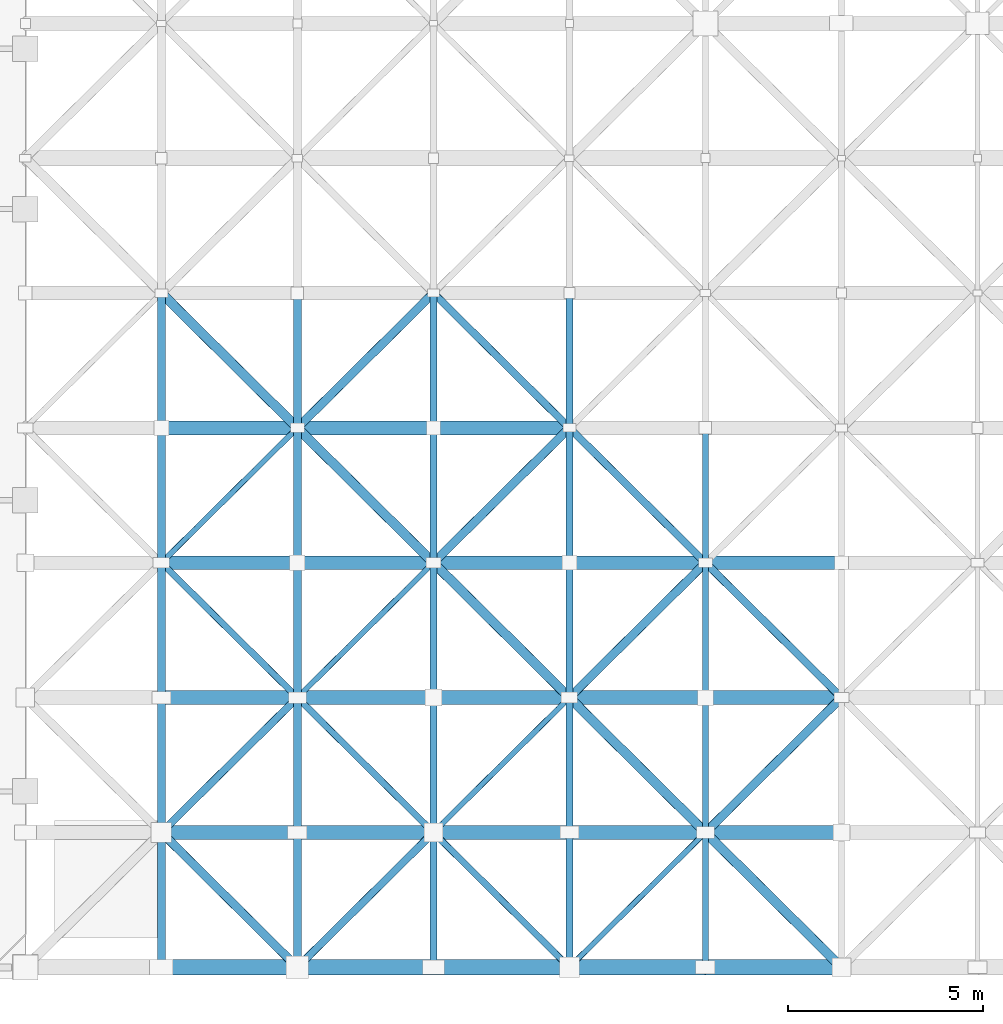
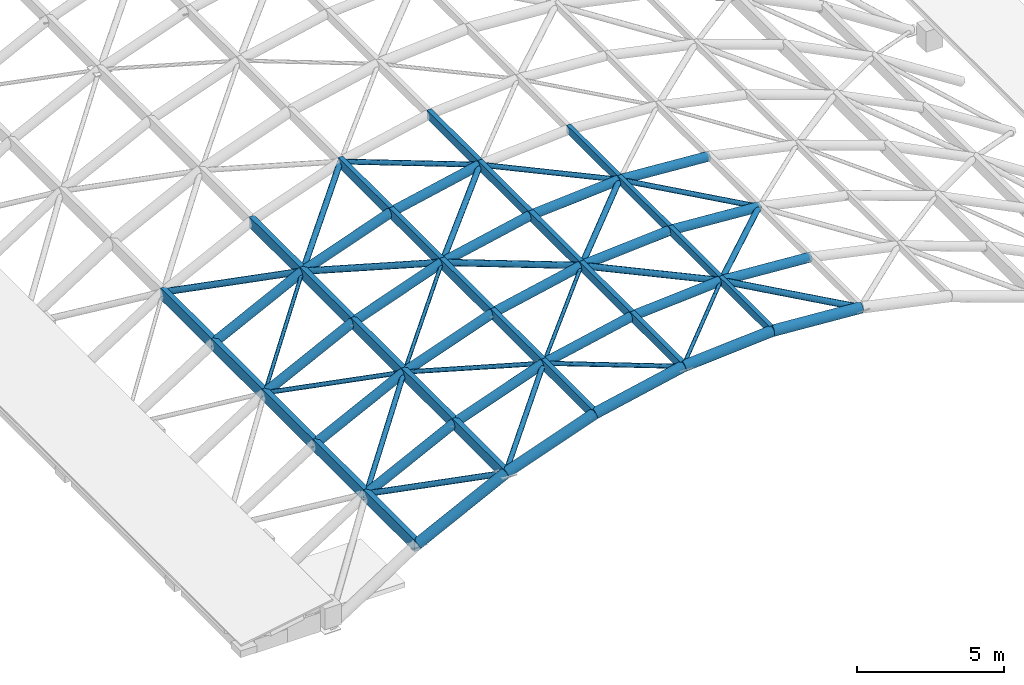
# One storey, part 20 of 52: 69 members.
"""IFC4 building model written with IfcOpenShell, lengths in metres."""

from ifc_helpers import new_model, si_unit, direction, frame, origin, origin_2d, place, context, subcontext, project, spatial, rectangle, hollow_circle, extrude, material, material_profile, profile_set, type_object, element, save


model = new_model("IFC4")

# Units and contexts
model_context = context("Model", 3, precision=1e-05, world=origin(), true_north=direction((0.0, 1.0)))
body_context = subcontext(model_context, "Body", "Model", "MODEL_VIEW")
ifc_project = project(units=[si_unit("LENGTHUNIT", "METRE"), si_unit("AREAUNIT", "SQUARE_METRE"), si_unit("VOLUMEUNIT", "CUBIC_METRE"), si_unit("PLANEANGLEUNIT", "RADIAN"), si_unit("MASSUNIT", "GRAM", prefix="KILO")], contexts=[model_context])

# Site, building, storey
site_placement = place(None, origin())
site = spatial("IfcSite", under=ifc_project, at=site_placement, CompositionType="ELEMENT")
building_placement = place(site_placement, origin())
building = spatial("IfcBuilding", under=site, at=building_placement, Name="Candilejo Ridge Gondola Terminal", CompositionType="ELEMENT")
storey_placement = place(building_placement, frame((0.0, 0.0, 18.60009765625)))
storey = spatial("IfcBuildingStorey", under=building, at=storey_placement, Name="L04", CompositionType="ELEMENT", Elevation=18.60009765625)

# Members
ifc_material_1 = material(Name="Steel ASTM A500 Grade C", Category="steel")
ifc_material_profile_1 = material_profile(ifc_material_1, hollow_circle(Radius=0.06982421875, WallThickness=0.00634765625, at=origin_2d()))
ifc_profile_set_1 = profile_set([ifc_material_profile_1], Name="Steel ASTM A500 Grade C")
member_type_1 = type_object("IfcMemberType", Name="STR-BRC-CHS140", PredefinedType="BRACE", material=ifc_profile_set_1)
member_1_placement = place(storey_placement, frame((151.1201171875, 6.300048828125, 5.751953125), z_axis=(0.709256116362, 0.703135834174, 0.050554526043), x_axis=(-0.704036083414, 0.710164201612, 0.0)))
element("IfcMember", 1, at=member_1_placement, inside=storey, type_object=member_type_1, Name="Barrel diagrid diagonal 01-05", PredefinedType="BRACE", context=body_context, shape_type="SweptSolid", body=[
    extrude(hollow_circle(Radius=0.06982421875, WallThickness=0.00634765625, at=origin_2d()), origin(), (0.0, 0.0, 1.0), 4.906494140625),
])
member_2_placement = place(storey_placement, frame((147.639892578125, 9.75, 5.0078125), z_axis=(0.702139662294, 0.696031958462, 0.150131300643), x_axis=(-0.704011173748, 0.710188895462, 0.0)))
element("IfcMember", 2, at=member_2_placement, inside=storey, type_object=member_type_1, Name="Barrel diagrid diagonal 02-04", PredefinedType="BRACE", context=body_context, shape_type="SweptSolid", body=[
    extrude(hollow_circle(Radius=0.06982421875, WallThickness=0.00634765625, at=origin_2d()), origin(), (0.0, 0.0, 1.0), 4.95654296875),
])
member_3_placement = place(storey_placement, frame((144.159912109375, 13.199951171875, 3.767822265625), z_axis=(0.688464148289, 0.682523283252, 0.24531425629), x_axis=(-0.704036083414, 0.710164201612, 0.0)))
element("IfcMember", 3, at=member_3_placement, inside=storey, type_object=member_type_1, Name="Barrel diagrid diagonal 03-03", PredefinedType="BRACE", context=body_context, shape_type="SweptSolid", body=[
    extrude(hollow_circle(Radius=0.06982421875, WallThickness=0.00634765625, at=origin_2d()), origin(), (0.0, 0.0, 1.0), 5.0546875),
])
member_4_placement = place(storey_placement, frame((140.679931640625, 16.64990234375, 2.031982421875), z_axis=(0.669384825923, 0.663655560541, 0.333894072704), x_axis=(-0.70406120903, 0.710139291927, 0.0)))
element("IfcMember", 4, at=member_4_placement, inside=storey, type_object=member_type_1, Name="Barrel diagrid diagonal 04-02", PredefinedType="BRACE", context=body_context, shape_type="SweptSolid", body=[
    extrude(hollow_circle(Radius=0.06982421875, WallThickness=0.00634765625, at=origin_2d()), origin(), (0.0, 0.0, 1.0), 5.19873046875),
])
ifc_material_2 = material(Name="Steel ASTM A500 Grade C", Category="steel")
ifc_material_profile_2 = material_profile(ifc_material_2, hollow_circle(Radius=0.084228515625, WallThickness=0.007080078125, at=origin_2d()))
ifc_profile_set_2 = profile_set([ifc_material_profile_2], Name="Steel ASTM A500 Grade C")
member_type_2 = type_object("IfcMemberType", Name="STR-BRC-CHS168", PredefinedType="BRACE", material=ifc_profile_set_2)
member_5_placement = place(storey_placement, frame((151.1201171875, 6.300048828125, 5.751953125), z_axis=(-0.702139662294, 0.696031958462, -0.150131300643), x_axis=(-0.704011173748, -0.710188895462, 0.0)))
element("IfcMember", 5, at=member_5_placement, inside=storey, type_object=member_type_2, Name="Barrel diagrid diagonal 01-04", PredefinedType="BRACE", context=body_context, shape_type="SweptSolid", body=[
    extrude(hollow_circle(Radius=0.084228515625, WallThickness=0.007080078125, at=origin_2d()), origin(), (0.0, 0.0, 1.0), 4.95654296875),
])
member_6_placement = place(storey_placement, frame((147.639892578125, 9.75, 5.0078125), z_axis=(-0.688464148289, 0.682523283252, -0.24531425629), x_axis=(-0.704036083414, -0.710164201612, 0.0)))
element("IfcMember", 6, at=member_6_placement, inside=storey, type_object=member_type_2, Name="Barrel diagrid diagonal 02-03", PredefinedType="BRACE", context=body_context, shape_type="SweptSolid", body=[
    extrude(hollow_circle(Radius=0.084228515625, WallThickness=0.007080078125, at=origin_2d()), origin(), (0.0, 0.0, 1.0), 5.0546875),
])
member_7_placement = place(storey_placement, frame((144.159912109375, 13.199951171875, 3.767822265625), z_axis=(-0.669405688246, 0.663629281647, -0.333904478983), x_axis=(-0.704036083414, -0.710164201612, 0.0)))
element("IfcMember", 7, at=member_7_placement, inside=storey, type_object=member_type_2, Name="Barrel diagrid diagonal 03-02", PredefinedType="BRACE", context=body_context, shape_type="SweptSolid", body=[
    extrude(hollow_circle(Radius=0.084228515625, WallThickness=0.007080078125, at=origin_2d()), origin(), (0.0, 0.0, 1.0), 5.19873046875),
])
ifc_material_3 = material(Name="Steel ASTM A500 Grade C", Category="steel")
ifc_material_profile_3 = material_profile(ifc_material_3, hollow_circle(Radius=0.096923828125, WallThickness=0.0078125, at=origin_2d()))
ifc_profile_set_3 = profile_set([ifc_material_profile_3], Name="Steel ASTM A500 Grade C")
member_type_3 = type_object("IfcMemberType", Name="STR-BRC-CHS193", PredefinedType="BRACE", material=ifc_profile_set_3)
member_8_placement = place(storey_placement, frame((144.159912109375, 6.300048828125, 3.767822265625), z_axis=(0.688464148289, 0.682523283252, 0.24531425629), x_axis=(-0.704036083414, 0.710164201612, 0.0)))
element("IfcMember", 8, at=member_8_placement, inside=storey, type_object=member_type_3, Name="Barrel diagrid diagonal 01-03", PredefinedType="BRACE", context=body_context, shape_type="SweptSolid", body=[
    extrude(hollow_circle(Radius=0.096923828125, WallThickness=0.0078125, at=origin_2d()), origin(), (0.0, 0.0, 1.0), 5.0546875),
])
member_9_placement = place(storey_placement, frame((140.679931640625, 9.75, 2.031982421875), z_axis=(0.669405688246, 0.663629281647, 0.333904478983), x_axis=(-0.704036083414, 0.710164201612, 0.0)))
element("IfcMember", 9, at=member_9_placement, inside=storey, type_object=member_type_3, Name="Barrel diagrid diagonal 02-02", PredefinedType="BRACE", context=body_context, shape_type="SweptSolid", body=[
    extrude(hollow_circle(Radius=0.096923828125, WallThickness=0.0078125, at=origin_2d()), origin(), (0.0, 0.0, 1.0), 5.19873046875),
])
member_10_placement = place(storey_placement, frame((158.080078125, 13.199951171875, 5.751953125), z_axis=(-0.709256116362, 0.703135834174, 0.050554526043), x_axis=(-0.704036083414, -0.710164201612, 0.0)))
element("IfcMember", 10, at=member_10_placement, inside=storey, type_object=member_type_3, Name="Barrel diagrid diagonal 03-06", PredefinedType="BRACE", context=body_context, shape_type="SweptSolid", body=[
    extrude(hollow_circle(Radius=0.096923828125, WallThickness=0.0078125, at=origin_2d()), origin(), (0.0, 0.0, 1.0), 4.906494140625),
])
member_11_placement = place(storey_placement, frame((154.60009765625, 16.64990234375, 6.0), z_axis=(-0.709231302108, 0.703160990696, -0.050552757327), x_axis=(-0.70406120903, -0.710139291927, 0.0)))
element("IfcMember", 11, at=member_11_placement, inside=storey, type_object=member_type_3, Name="Barrel diagrid diagonal 04-05", PredefinedType="BRACE", context=body_context, shape_type="SweptSolid", body=[
    extrude(hollow_circle(Radius=0.096923828125, WallThickness=0.0078125, at=origin_2d()), origin(), (0.0, 0.0, 1.0), 4.90673828125),
])
member_12_placement = place(storey_placement, frame((151.1201171875, 20.10009765625, 5.751953125), z_axis=(-0.702139662294, 0.696031958462, -0.150131300643), x_axis=(-0.704011173748, -0.710188895462, 0.0)))
element("IfcMember", 12, at=member_12_placement, inside=storey, type_object=member_type_3, Name="Barrel diagrid diagonal 05-04", PredefinedType="BRACE", context=body_context, shape_type="SweptSolid", body=[
    extrude(hollow_circle(Radius=0.096923828125, WallThickness=0.0078125, at=origin_2d()), origin(), (0.0, 0.0, 1.0), 4.95654296875),
])
ifc_material_4 = material(Name="Steel ASTM A500 Grade C", Category="steel")
ifc_material_profile_4 = material_profile(ifc_material_4, hollow_circle(Radius=0.109619140625, WallThickness=0.00830078125, at=origin_2d()))
ifc_profile_set_4 = profile_set([ifc_material_profile_4], Name="Steel ASTM A500 Grade C")
member_type_4 = type_object("IfcMemberType", Name="STR-BRC-CHS219", PredefinedType="BRACE", material=ifc_profile_set_4)
member_13_placement = place(storey_placement, frame((144.159912109375, 6.300048828125, 3.767822265625), z_axis=(-0.669405688246, 0.663629281647, -0.333904478983), x_axis=(-0.704036083414, -0.710164201612, 0.0)))
element("IfcMember", 13, at=member_13_placement, inside=storey, type_object=member_type_4, Name="Barrel diagrid diagonal 01-02", PredefinedType="BRACE", context=body_context, shape_type="SweptSolid", body=[
    extrude(hollow_circle(Radius=0.109619140625, WallThickness=0.00830078125, at=origin_2d()), origin(), (0.0, 0.0, 1.0), 5.19873046875),
])
for number, where, z_axis, x_axis, name in (
    (14, (154.60009765625, 9.75, 6.0), (0.709256116362, 0.703135834174, -0.050554526043), (-0.704036083414, 0.710164201612, 0.0), "Barrel diagrid diagonal 02-06"),
    (15, (151.1201171875, 13.199951171875, 5.751953125), (0.709256116362, 0.703135834174, 0.050554526043), (-0.704036083414, 0.710164201612, 0.0), "Barrel diagrid diagonal 03-05"),
):
    element("IfcMember", number, at=place(storey_placement, frame(where, z_axis=z_axis, x_axis=x_axis)), inside=storey, type_object=member_type_4, Name=name, PredefinedType="BRACE", context=body_context, shape_type="SweptSolid", body=[
        extrude(hollow_circle(Radius=0.109619140625, WallThickness=0.00830078125, at=origin_2d()), origin(), (0.0, 0.0, 1.0), 4.906494140625),
    ])
member_14_placement = place(storey_placement, frame((147.639892578125, 16.64990234375, 5.0078125), z_axis=(0.702115590858, 0.696057350404, 0.150126153696), x_axis=(-0.704036300223, 0.710163986674, 0.0)))
element("IfcMember", 16, at=member_14_placement, inside=storey, type_object=member_type_4, Name="Barrel diagrid diagonal 04-04", PredefinedType="BRACE", context=body_context, shape_type="SweptSolid", body=[
    extrude(hollow_circle(Radius=0.109619140625, WallThickness=0.00830078125, at=origin_2d()), origin(), (0.0, 0.0, 1.0), 4.956787109375),
])
member_15_placement = place(storey_placement, frame((144.159912109375, 20.10009765625, 3.767822265625), z_axis=(0.688464148289, 0.682523283252, 0.24531425629), x_axis=(-0.704036083414, 0.710164201612, 0.0)))
element("IfcMember", 17, at=member_15_placement, inside=storey, type_object=member_type_4, Name="Barrel diagrid diagonal 05-03", PredefinedType="BRACE", context=body_context, shape_type="SweptSolid", body=[
    extrude(hollow_circle(Radius=0.109619140625, WallThickness=0.00830078125, at=origin_2d()), origin(), (0.0, 0.0, 1.0), 5.0546875),
])
ifc_material_5 = material(Name="Steel ASTM A500 Grade C", Category="steel")
ifc_material_profile_5 = material_profile(ifc_material_5, hollow_circle(Radius=0.122314453125, WallThickness=0.0087890625, at=origin_2d()))
ifc_profile_set_5 = profile_set([ifc_material_profile_5], Name="Steel ASTM A500 Grade C")
member_type_5 = type_object("IfcMemberType", Name="STR-BRC-CHS244", PredefinedType="BRACE", material=ifc_profile_set_5)
for number, where, z_axis, x_axis, name in (
    (18, (158.080078125, 6.300048828125, 5.751953125), (-0.709256116362, 0.703135834174, 0.050554526043), (-0.704036083414, -0.710164201612, 0.0), "Barrel diagrid diagonal 01-06"),
    (19, (154.60009765625, 9.75, 6.0), (-0.709256116362, 0.703135834174, -0.050554526043), (-0.704036083414, -0.710164201612, 0.0), "Barrel diagrid diagonal 02-05"),
):
    element("IfcMember", number, at=place(storey_placement, frame(where, z_axis=z_axis, x_axis=x_axis)), inside=storey, type_object=member_type_5, Name=name, PredefinedType="BRACE", context=body_context, shape_type="SweptSolid", body=[
        extrude(hollow_circle(Radius=0.122314453125, WallThickness=0.0087890625, at=origin_2d()), origin(), (0.0, 0.0, 1.0), 4.906494140625),
    ])
member_16_placement = place(storey_placement, frame((151.1201171875, 13.199951171875, 5.751953125), z_axis=(-0.702139662294, 0.696031958462, -0.150131300643), x_axis=(-0.704011173748, -0.710188895462, 0.0)))
element("IfcMember", 20, at=member_16_placement, inside=storey, type_object=member_type_5, Name="Barrel diagrid diagonal 03-04", PredefinedType="BRACE", context=body_context, shape_type="SweptSolid", body=[
    extrude(hollow_circle(Radius=0.122314453125, WallThickness=0.0087890625, at=origin_2d()), origin(), (0.0, 0.0, 1.0), 4.95654296875),
])
member_17_placement = place(storey_placement, frame((147.639892578125, 16.64990234375, 5.0078125), z_axis=(-0.688441452919, 0.682549081848, -0.245306169453), x_axis=(-0.70406120903, -0.710139291927, 0.0)))
element("IfcMember", 21, at=member_17_placement, inside=storey, type_object=member_type_5, Name="Barrel diagrid diagonal 04-03", PredefinedType="BRACE", context=body_context, shape_type="SweptSolid", body=[
    extrude(hollow_circle(Radius=0.122314453125, WallThickness=0.0087890625, at=origin_2d()), origin(), (0.0, 0.0, 1.0), 5.054931640625),
])
member_18_placement = place(storey_placement, frame((144.159912109375, 20.10009765625, 3.767822265625), z_axis=(-0.669405688246, 0.663629281647, -0.333904478983), x_axis=(-0.704036083414, -0.710164201612, 0.0)))
element("IfcMember", 22, at=member_18_placement, inside=storey, type_object=member_type_5, Name="Barrel diagrid diagonal 05-02", PredefinedType="BRACE", context=body_context, shape_type="SweptSolid", body=[
    extrude(hollow_circle(Radius=0.122314453125, WallThickness=0.0087890625, at=origin_2d()), origin(), (0.0, 0.0, 1.0), 5.19873046875),
])
ifc_material_6 = material(Name="Glulam GL28h", Category="wood")
ifc_material_profile_6 = material_profile(ifc_material_6, rectangle(XDim=0.159912109375, YDim=0.320068359375, at=origin_2d()))
ifc_profile_set_6 = profile_set([ifc_material_profile_6], Name="Glulam GL28h")
member_type_6 = type_object("IfcMemberType", Name="STR-PUR-GL160X320", PredefinedType="PURLIN", material=ifc_profile_set_6)
for number, where, z_axis, x_axis, name in (
    (23, (154.60009765625, 6.300048828125, 6.039794921875), (0.0, 1.0, 0.0), (-1.0, 0.0, 0.0), "Glulam roof purlin 01-05"),
    (24, (154.60009765625, 9.75, 6.039794921875), (0.0, 1.0, 0.0), (-1.0, 0.0, 0.0), "Glulam roof purlin 02-05"),
    (25, (154.60009765625, 13.199951171875, 6.039794921875), (0.0, 1.0, 0.0), (-1.0, 0.0, 0.0), "Glulam roof purlin 03-05"),
):
    element("IfcMember", number, at=place(storey_placement, frame(where, z_axis=z_axis, x_axis=x_axis)), inside=storey, type_object=member_type_6, Name=name, PredefinedType="PURLIN", context=body_context, shape_type="SweptSolid", body=[
        extrude(rectangle(XDim=0.159912109375, YDim=0.320068359375, at=origin_2d()), origin(), (0.0, 0.0, 1.0), 3.449951171875),
    ])
member_19_placement = place(storey_placement, frame((154.60009765625, 16.64990234375, 6.039794921875), z_axis=(0.0, 1.0, 0.0), x_axis=(-1.0, 0.0, 0.0)))
element("IfcMember", 26, at=member_19_placement, inside=storey, type_object=member_type_6, Name="Glulam roof purlin 04-05", PredefinedType="PURLIN", context=body_context, shape_type="SweptSolid", body=[
    extrude(rectangle(XDim=0.159912109375, YDim=0.320068359375, at=origin_2d()), origin(), (0.0, 0.0, 1.0), 3.4501953125),
])
ifc_material_7 = material(Name="Glulam GL28h", Category="wood")
ifc_material_profile_7 = material_profile(ifc_material_7, rectangle(XDim=0.179931640625, YDim=0.360107421875, at=origin_2d()))
ifc_profile_set_7 = profile_set([ifc_material_profile_7], Name="Glulam GL28h")
member_type_7 = type_object("IfcMemberType", Name="STR-PUR-GL180X360", PredefinedType="PURLIN", material=ifc_profile_set_7)
for number, where, z_axis, x_axis, name in (
    (27, (151.1201171875, 6.300048828125, 5.77197265625), (0.0, 1.0, 0.0), (-1.0, 0.0, 0.0), "Glulam roof purlin 01-04"),
    (28, (151.1201171875, 9.75, 5.77197265625), (0.0, 1.0, 0.0), (-1.0, 0.0, 0.0), "Glulam roof purlin 02-04"),
    (29, (151.1201171875, 13.199951171875, 5.77197265625), (0.0, 1.0, 0.0), (-1.0, 0.0, 0.0), "Glulam roof purlin 03-04"),
):
    element("IfcMember", number, at=place(storey_placement, frame(where, z_axis=z_axis, x_axis=x_axis)), inside=storey, type_object=member_type_7, Name=name, PredefinedType="PURLIN", context=body_context, shape_type="SweptSolid", body=[
        extrude(rectangle(XDim=0.179931640625, YDim=0.360107421875, at=origin_2d()), origin(), (0.0, 0.0, 1.0), 3.449951171875),
    ])
member_20_placement = place(storey_placement, frame((151.1201171875, 16.64990234375, 5.77197265625), z_axis=(0.0, 1.0, 0.0), x_axis=(-1.0, 0.0, 0.0)))
element("IfcMember", 30, at=member_20_placement, inside=storey, type_object=member_type_7, Name="Glulam roof purlin 04-04", PredefinedType="PURLIN", context=body_context, shape_type="SweptSolid", body=[
    extrude(rectangle(XDim=0.179931640625, YDim=0.360107421875, at=origin_2d()), origin(), (0.0, 0.0, 1.0), 3.4501953125),
])
member_21_placement = place(storey_placement, frame((151.1201171875, 20.10009765625, 5.77197265625), z_axis=(0.0, 1.0, 0.0), x_axis=(-1.0, 0.0, 0.0)))
element("IfcMember", 31, at=member_21_placement, inside=storey, type_object=member_type_7, Name="Glulam roof purlin 05-04", PredefinedType="PURLIN", context=body_context, shape_type="SweptSolid", body=[
    extrude(rectangle(XDim=0.179931640625, YDim=0.360107421875, at=origin_2d()), origin(), (0.0, 0.0, 1.0), 3.449951171875),
])
ifc_material_8 = material(Name="Glulam GL28h", Category="wood")
ifc_material_profile_8 = material_profile(ifc_material_8, rectangle(XDim=0.179931640625, YDim=0.39990234375, at=origin_2d()))
ifc_profile_set_8 = profile_set([ifc_material_profile_8], Name="Glulam GL28h")
member_type_8 = type_object("IfcMemberType", Name="STR-PUR-GL180X400", PredefinedType="PURLIN", material=ifc_profile_set_8)
for number, where, z_axis, x_axis, name in (
    (32, (147.639892578125, 6.300048828125, 5.0078125), (0.0, 1.0, 0.0), (-1.0, 0.0, 0.0), "Glulam roof purlin 01-03"),
    (33, (147.639892578125, 9.75, 5.0078125), (0.0, 1.0, 0.0), (-1.0, 0.0, 0.0), "Glulam roof purlin 02-03"),
    (34, (147.639892578125, 13.199951171875, 5.0078125), (0.0, 1.0, 0.0), (-1.0, 0.0, 0.0), "Glulam roof purlin 03-03"),
):
    element("IfcMember", number, at=place(storey_placement, frame(where, z_axis=z_axis, x_axis=x_axis)), inside=storey, type_object=member_type_8, Name=name, PredefinedType="PURLIN", context=body_context, shape_type="SweptSolid", body=[
        extrude(rectangle(XDim=0.179931640625, YDim=0.39990234375, at=origin_2d()), origin(), (0.0, 0.0, 1.0), 3.449951171875),
    ])
member_22_placement = place(storey_placement, frame((147.639892578125, 16.64990234375, 5.0078125), z_axis=(0.0, 1.0, 0.0), x_axis=(-1.0, 0.0, 0.0)))
element("IfcMember", 35, at=member_22_placement, inside=storey, type_object=member_type_8, Name="Glulam roof purlin 04-03", PredefinedType="PURLIN", context=body_context, shape_type="SweptSolid", body=[
    extrude(rectangle(XDim=0.179931640625, YDim=0.39990234375, at=origin_2d()), origin(), (0.0, 0.0, 1.0), 3.4501953125),
])
member_23_placement = place(storey_placement, frame((147.639892578125, 20.10009765625, 5.0078125), z_axis=(0.0, 1.0, 0.0), x_axis=(-1.0, 0.0, 0.0)))
element("IfcMember", 36, at=member_23_placement, inside=storey, type_object=member_type_8, Name="Glulam roof purlin 05-03", PredefinedType="PURLIN", context=body_context, shape_type="SweptSolid", body=[
    extrude(rectangle(XDim=0.179931640625, YDim=0.39990234375, at=origin_2d()), origin(), (0.0, 0.0, 1.0), 3.449951171875),
])
ifc_material_9 = material(Name="Glulam GL28h", Category="wood")
ifc_material_profile_9 = material_profile(ifc_material_9, rectangle(XDim=0.199951171875, YDim=0.43994140625, at=origin_2d()))
ifc_profile_set_9 = profile_set([ifc_material_profile_9], Name="Glulam GL28h")
member_type_9 = type_object("IfcMemberType", Name="STR-PUR-GL200X440", PredefinedType="PURLIN", material=ifc_profile_set_9)
for number, where, z_axis, x_axis, name in (
    (37, (144.159912109375, 6.300048828125, 3.747802734375), (0.0, 1.0, 0.0), (-1.0, 0.0, 0.0), "Glulam roof purlin 01-02"),
    (38, (144.159912109375, 9.75, 3.747802734375), (0.0, 1.0, 0.0), (-1.0, 0.0, 0.0), "Glulam roof purlin 02-02"),
    (39, (144.159912109375, 13.199951171875, 3.747802734375), (0.0, 1.0, 0.0), (-1.0, 0.0, 0.0), "Glulam roof purlin 03-02"),
):
    element("IfcMember", number, at=place(storey_placement, frame(where, z_axis=z_axis, x_axis=x_axis)), inside=storey, type_object=member_type_9, Name=name, PredefinedType="PURLIN", context=body_context, shape_type="SweptSolid", body=[
        extrude(rectangle(XDim=0.199951171875, YDim=0.43994140625, at=origin_2d()), origin(), (0.0, 0.0, 1.0), 3.449951171875),
    ])
member_24_placement = place(storey_placement, frame((144.159912109375, 16.64990234375, 3.747802734375), z_axis=(0.0, 1.0, 0.0), x_axis=(-1.0, 0.0, 0.0)))
element("IfcMember", 40, at=member_24_placement, inside=storey, type_object=member_type_9, Name="Glulam roof purlin 04-02", PredefinedType="PURLIN", context=body_context, shape_type="SweptSolid", body=[
    extrude(rectangle(XDim=0.199951171875, YDim=0.43994140625, at=origin_2d()), origin(), (0.0, 0.0, 1.0), 3.4501953125),
])
member_25_placement = place(storey_placement, frame((144.159912109375, 20.10009765625, 3.747802734375), z_axis=(0.0, 1.0, 0.0), x_axis=(-1.0, 0.0, 0.0)))
element("IfcMember", 41, at=member_25_placement, inside=storey, type_object=member_type_9, Name="Glulam roof purlin 05-02", PredefinedType="PURLIN", context=body_context, shape_type="SweptSolid", body=[
    extrude(rectangle(XDim=0.199951171875, YDim=0.43994140625, at=origin_2d()), origin(), (0.0, 0.0, 1.0), 3.449951171875),
])
ifc_material_10 = material(Name="Glulam GL28h", Category="wood")
ifc_material_profile_10 = material_profile(ifc_material_10, rectangle(XDim=0.199951171875, YDim=0.47998046875, at=origin_2d()))
ifc_profile_set_10 = profile_set([ifc_material_profile_10], Name="Glulam GL28h")
member_type_10 = type_object("IfcMemberType", Name="STR-PUR-GL200X480", PredefinedType="PURLIN", material=ifc_profile_set_10)
for number, where, z_axis, x_axis, name in (
    (42, (140.679931640625, 6.300048828125, 1.991943359375), (0.0, 1.0, 0.0), (-1.0, 0.0, 0.0), "Glulam roof purlin 01-01"),
    (43, (140.679931640625, 9.75, 1.991943359375), (0.0, 1.0, 0.0), (-1.0, 0.0, 0.0), "Glulam roof purlin 02-01"),
    (44, (140.679931640625, 13.199951171875, 1.991943359375), (0.0, 1.0, 0.0), (-1.0, 0.0, 0.0), "Glulam roof purlin 03-01"),
):
    element("IfcMember", number, at=place(storey_placement, frame(where, z_axis=z_axis, x_axis=x_axis)), inside=storey, type_object=member_type_10, Name=name, PredefinedType="PURLIN", context=body_context, shape_type="SweptSolid", body=[
        extrude(rectangle(XDim=0.199951171875, YDim=0.47998046875, at=origin_2d()), origin(), (0.0, 0.0, 1.0), 3.449951171875),
    ])
member_26_placement = place(storey_placement, frame((140.679931640625, 16.64990234375, 1.991943359375), z_axis=(0.0, 1.0, 0.0), x_axis=(-1.0, 0.0, 0.0)))
element("IfcMember", 45, at=member_26_placement, inside=storey, type_object=member_type_10, Name="Glulam roof purlin 04-01", PredefinedType="PURLIN", context=body_context, shape_type="SweptSolid", body=[
    extrude(rectangle(XDim=0.199951171875, YDim=0.47998046875, at=origin_2d()), origin(), (0.0, 0.0, 1.0), 3.4501953125),
])
member_27_placement = place(storey_placement, frame((140.679931640625, 20.10009765625, 1.991943359375), z_axis=(0.0, 1.0, 0.0), x_axis=(-1.0, 0.0, 0.0)))
element("IfcMember", 46, at=member_27_placement, inside=storey, type_object=member_type_10, Name="Glulam roof purlin 05-01", PredefinedType="PURLIN", context=body_context, shape_type="SweptSolid", body=[
    extrude(rectangle(XDim=0.199951171875, YDim=0.47998046875, at=origin_2d()), origin(), (0.0, 0.0, 1.0), 3.449951171875),
])
ifc_material_11 = material(Name="Steel ASTM A500 Grade C", Category="steel")
ifc_material_profile_11 = material_profile(ifc_material_11, hollow_circle(Radius=0.177734375, WallThickness=0.0126953125, at=origin_2d()))
ifc_profile_set_11 = profile_set([ifc_material_profile_11], Name="Steel ASTM A500 Grade C")
member_type_11 = type_object("IfcMemberType", Name="STR-RAF-CHS356", PredefinedType="RAFTER", material=ifc_profile_set_11)
member_28_placement = place(storey_placement, frame((140.679931640625, 9.75, 2.031982421875), z_axis=(0.894853681561, 0.0, 0.446359595615), x_axis=(0.0, 1.0, 0.0)))
element("IfcMember", 47, at=member_28_placement, inside=storey, type_object=member_type_11, Name="Barrel diagrid arch rafter F02-02", PredefinedType="RAFTER", context=body_context, shape_type="SweptSolid", body=[
    extrude(hollow_circle(Radius=0.177734375, WallThickness=0.0126953125, at=origin_2d()), origin(), (0.0, 0.0, 1.0), 3.888916015625),
])
member_29_placement = place(storey_placement, frame((144.159912109375, 9.75, 3.767822265625), z_axis=(0.94198686652, 0.0, 0.335649733061), x_axis=(0.0, 1.0, 0.0)))
element("IfcMember", 48, at=member_29_placement, inside=storey, type_object=member_type_11, Name="Barrel diagrid arch rafter F02-03", PredefinedType="RAFTER", context=body_context, shape_type="SweptSolid", body=[
    extrude(hollow_circle(Radius=0.177734375, WallThickness=0.0126953125, at=origin_2d()), origin(), (0.0, 0.0, 1.0), 3.6943359375),
])
member_30_placement = place(storey_placement, frame((147.639892578125, 9.75, 5.0078125), z_axis=(0.97789568019, 0.0, 0.209093373078), x_axis=(0.0, 1.0, 0.0)))
element("IfcMember", 49, at=member_30_placement, inside=storey, type_object=member_type_11, Name="Barrel diagrid arch rafter F02-04", PredefinedType="RAFTER", context=body_context, shape_type="SweptSolid", body=[
    extrude(hollow_circle(Radius=0.177734375, WallThickness=0.0126953125, at=origin_2d()), origin(), (0.0, 0.0, 1.0), 3.558837890625),
])
for number, where, z_axis, x_axis, name in (
    (50, (151.1201171875, 9.75, 5.751953125), (0.997469345253, 0.0, 0.071097857077), (0.0, 1.0, 0.0), "Barrel diagrid arch rafter F02-05"),
    (51, (154.60009765625, 9.75, 6.0), (0.997469345253, 0.0, -0.071097857077), (0.0, 1.0, 0.0), "Barrel diagrid arch rafter F02-06"),
):
    element("IfcMember", number, at=place(storey_placement, frame(where, z_axis=z_axis, x_axis=x_axis)), inside=storey, type_object=member_type_11, Name=name, PredefinedType="RAFTER", context=body_context, shape_type="SweptSolid", body=[
        extrude(hollow_circle(Radius=0.177734375, WallThickness=0.0126953125, at=origin_2d()), origin(), (0.0, 0.0, 1.0), 3.48876953125),
    ])
member_31_placement = place(storey_placement, frame((140.679931640625, 13.199951171875, 2.031982421875), z_axis=(0.894853681561, 0.0, 0.446359595615), x_axis=(0.0, 1.0, 0.0)))
element("IfcMember", 52, at=member_31_placement, inside=storey, type_object=member_type_11, Name="Barrel diagrid arch rafter F03-02", PredefinedType="RAFTER", context=body_context, shape_type="SweptSolid", body=[
    extrude(hollow_circle(Radius=0.177734375, WallThickness=0.0126953125, at=origin_2d()), origin(), (0.0, 0.0, 1.0), 3.888916015625),
])
member_32_placement = place(storey_placement, frame((144.159912109375, 13.199951171875, 3.767822265625), z_axis=(0.94198686652, 0.0, 0.335649733061), x_axis=(0.0, 1.0, 0.0)))
element("IfcMember", 53, at=member_32_placement, inside=storey, type_object=member_type_11, Name="Barrel diagrid arch rafter F03-03", PredefinedType="RAFTER", context=body_context, shape_type="SweptSolid", body=[
    extrude(hollow_circle(Radius=0.177734375, WallThickness=0.0126953125, at=origin_2d()), origin(), (0.0, 0.0, 1.0), 3.6943359375),
])
member_33_placement = place(storey_placement, frame((147.639892578125, 13.199951171875, 5.0078125), z_axis=(0.97789568019, 0.0, 0.209093373078), x_axis=(0.0, 1.0, 0.0)))
element("IfcMember", 54, at=member_33_placement, inside=storey, type_object=member_type_11, Name="Barrel diagrid arch rafter F03-04", PredefinedType="RAFTER", context=body_context, shape_type="SweptSolid", body=[
    extrude(hollow_circle(Radius=0.177734375, WallThickness=0.0126953125, at=origin_2d()), origin(), (0.0, 0.0, 1.0), 3.558837890625),
])
for number, where, z_axis, x_axis, name in (
    (55, (151.1201171875, 13.199951171875, 5.751953125), (0.997469345253, 0.0, 0.071097857077), (0.0, 1.0, 0.0), "Barrel diagrid arch rafter F03-05"),
    (56, (154.60009765625, 13.199951171875, 6.0), (0.997469345253, 0.0, -0.071097857077), (0.0, 1.0, 0.0), "Barrel diagrid arch rafter F03-06"),
):
    element("IfcMember", number, at=place(storey_placement, frame(where, z_axis=z_axis, x_axis=x_axis)), inside=storey, type_object=member_type_11, Name=name, PredefinedType="RAFTER", context=body_context, shape_type="SweptSolid", body=[
        extrude(hollow_circle(Radius=0.177734375, WallThickness=0.0126953125, at=origin_2d()), origin(), (0.0, 0.0, 1.0), 3.48876953125),
    ])
member_34_placement = place(storey_placement, frame((140.679931640625, 16.64990234375, 2.031982421875), z_axis=(0.894853681561, 0.0, 0.446359595615), x_axis=(0.0, 1.0, 0.0)))
element("IfcMember", 57, at=member_34_placement, inside=storey, type_object=member_type_11, Name="Barrel diagrid arch rafter F04-02", PredefinedType="RAFTER", context=body_context, shape_type="SweptSolid", body=[
    extrude(hollow_circle(Radius=0.177734375, WallThickness=0.0126953125, at=origin_2d()), origin(), (0.0, 0.0, 1.0), 3.888916015625),
])
member_35_placement = place(storey_placement, frame((144.159912109375, 16.64990234375, 3.767822265625), z_axis=(0.94198686652, 0.0, 0.335649733061), x_axis=(0.0, 1.0, 0.0)))
element("IfcMember", 58, at=member_35_placement, inside=storey, type_object=member_type_11, Name="Barrel diagrid arch rafter F04-03", PredefinedType="RAFTER", context=body_context, shape_type="SweptSolid", body=[
    extrude(hollow_circle(Radius=0.177734375, WallThickness=0.0126953125, at=origin_2d()), origin(), (0.0, 0.0, 1.0), 3.6943359375),
])
member_36_placement = place(storey_placement, frame((147.639892578125, 16.64990234375, 5.0078125), z_axis=(0.97789568019, 0.0, 0.209093373078), x_axis=(0.0, 1.0, 0.0)))
element("IfcMember", 59, at=member_36_placement, inside=storey, type_object=member_type_11, Name="Barrel diagrid arch rafter F04-04", PredefinedType="RAFTER", context=body_context, shape_type="SweptSolid", body=[
    extrude(hollow_circle(Radius=0.177734375, WallThickness=0.0126953125, at=origin_2d()), origin(), (0.0, 0.0, 1.0), 3.558837890625),
])
for number, where, z_axis, x_axis, name in (
    (60, (151.1201171875, 16.64990234375, 5.751953125), (0.997469345253, 0.0, 0.071097857077), (0.0, 1.0, 0.0), "Barrel diagrid arch rafter F04-05"),
    (61, (154.60009765625, 16.64990234375, 6.0), (0.997469345253, 0.0, -0.071097857077), (0.0, 1.0, 0.0), "Barrel diagrid arch rafter F04-06"),
):
    element("IfcMember", number, at=place(storey_placement, frame(where, z_axis=z_axis, x_axis=x_axis)), inside=storey, type_object=member_type_11, Name=name, PredefinedType="RAFTER", context=body_context, shape_type="SweptSolid", body=[
        extrude(hollow_circle(Radius=0.177734375, WallThickness=0.0126953125, at=origin_2d()), origin(), (0.0, 0.0, 1.0), 3.48876953125),
    ])
member_37_placement = place(storey_placement, frame((140.679931640625, 20.10009765625, 2.031982421875), z_axis=(0.894853681561, 0.0, 0.446359595615), x_axis=(0.0, 1.0, 0.0)))
element("IfcMember", 62, at=member_37_placement, inside=storey, type_object=member_type_11, Name="Barrel diagrid arch rafter F05-02", PredefinedType="RAFTER", context=body_context, shape_type="SweptSolid", body=[
    extrude(hollow_circle(Radius=0.177734375, WallThickness=0.0126953125, at=origin_2d()), origin(), (0.0, 0.0, 1.0), 3.888916015625),
])
member_38_placement = place(storey_placement, frame((144.159912109375, 20.10009765625, 3.767822265625), z_axis=(0.94198686652, 0.0, 0.335649733061), x_axis=(0.0, 1.0, 0.0)))
element("IfcMember", 63, at=member_38_placement, inside=storey, type_object=member_type_11, Name="Barrel diagrid arch rafter F05-03", PredefinedType="RAFTER", context=body_context, shape_type="SweptSolid", body=[
    extrude(hollow_circle(Radius=0.177734375, WallThickness=0.0126953125, at=origin_2d()), origin(), (0.0, 0.0, 1.0), 3.6943359375),
])
member_39_placement = place(storey_placement, frame((147.639892578125, 20.10009765625, 5.0078125), z_axis=(0.97789568019, 0.0, 0.209093373078), x_axis=(0.0, 1.0, 0.0)))
element("IfcMember", 64, at=member_39_placement, inside=storey, type_object=member_type_11, Name="Barrel diagrid arch rafter F05-04", PredefinedType="RAFTER", context=body_context, shape_type="SweptSolid", body=[
    extrude(hollow_circle(Radius=0.177734375, WallThickness=0.0126953125, at=origin_2d()), origin(), (0.0, 0.0, 1.0), 3.558837890625),
])
ifc_material_12 = material(Name="Steel ASTM A500 Grade C", Category="steel")
ifc_material_profile_12 = material_profile(ifc_material_12, hollow_circle(Radius=0.203125, WallThickness=0.0126953125, at=origin_2d()))
ifc_profile_set_12 = profile_set([ifc_material_profile_12], Name="Steel ASTM A500 Grade C")
member_type_12 = type_object("IfcMemberType", Name="STR-RAF-CHS406", PredefinedType="RAFTER", material=ifc_profile_set_12)
member_40_placement = place(storey_placement, frame((140.679931640625, 6.300048828125, 2.031982421875), z_axis=(0.894853681561, 0.0, 0.446359595615), x_axis=(0.0, 1.0, 0.0)))
element("IfcMember", 65, at=member_40_placement, inside=storey, type_object=member_type_12, Name="Barrel diagrid arch rafter F01-02", PredefinedType="RAFTER", context=body_context, shape_type="SweptSolid", body=[
    extrude(hollow_circle(Radius=0.203125, WallThickness=0.0126953125, at=origin_2d()), origin(), (0.0, 0.0, 1.0), 3.888916015625),
])
member_41_placement = place(storey_placement, frame((144.159912109375, 6.300048828125, 3.767822265625), z_axis=(0.94198686652, 0.0, 0.335649733061), x_axis=(0.0, 1.0, 0.0)))
element("IfcMember", 66, at=member_41_placement, inside=storey, type_object=member_type_12, Name="Barrel diagrid arch rafter F01-03", PredefinedType="RAFTER", context=body_context, shape_type="SweptSolid", body=[
    extrude(hollow_circle(Radius=0.203125, WallThickness=0.0126953125, at=origin_2d()), origin(), (0.0, 0.0, 1.0), 3.6943359375),
])
member_42_placement = place(storey_placement, frame((147.639892578125, 6.300048828125, 5.0078125), z_axis=(0.97789568019, 0.0, 0.209093373078), x_axis=(0.0, 1.0, 0.0)))
element("IfcMember", 67, at=member_42_placement, inside=storey, type_object=member_type_12, Name="Barrel diagrid arch rafter F01-04", PredefinedType="RAFTER", context=body_context, shape_type="SweptSolid", body=[
    extrude(hollow_circle(Radius=0.203125, WallThickness=0.0126953125, at=origin_2d()), origin(), (0.0, 0.0, 1.0), 3.558837890625),
])
for number, where, z_axis, x_axis, name in (
    (68, (151.1201171875, 6.300048828125, 5.751953125), (0.997469345253, 0.0, 0.071097857077), (0.0, 1.0, 0.0), "Barrel diagrid arch rafter F01-05"),
    (69, (154.60009765625, 6.300048828125, 6.0), (0.997469345253, 0.0, -0.071097857077), (0.0, 1.0, 0.0), "Barrel diagrid arch rafter F01-06"),
):
    element("IfcMember", number, at=place(storey_placement, frame(where, z_axis=z_axis, x_axis=x_axis)), inside=storey, type_object=member_type_12, Name=name, PredefinedType="RAFTER", context=body_context, shape_type="SweptSolid", body=[
        extrude(hollow_circle(Radius=0.203125, WallThickness=0.0126953125, at=origin_2d()), origin(), (0.0, 0.0, 1.0), 3.48876953125),
    ])

save(model, "model.ifc")
